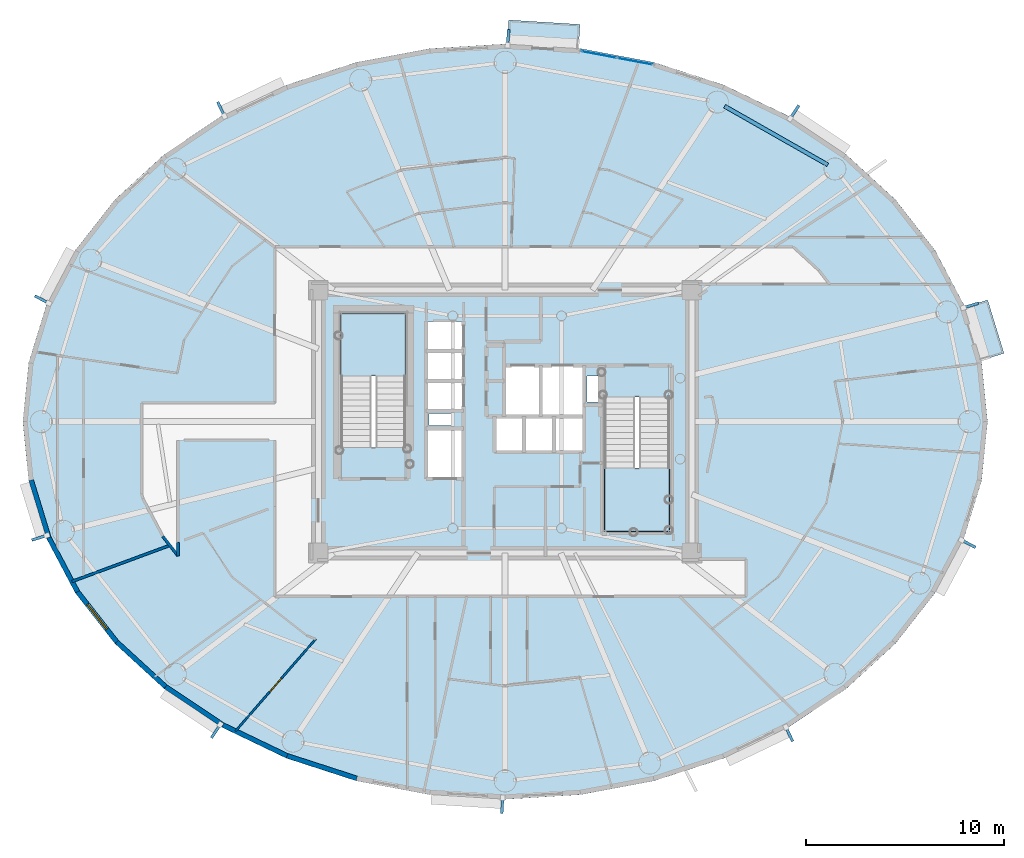
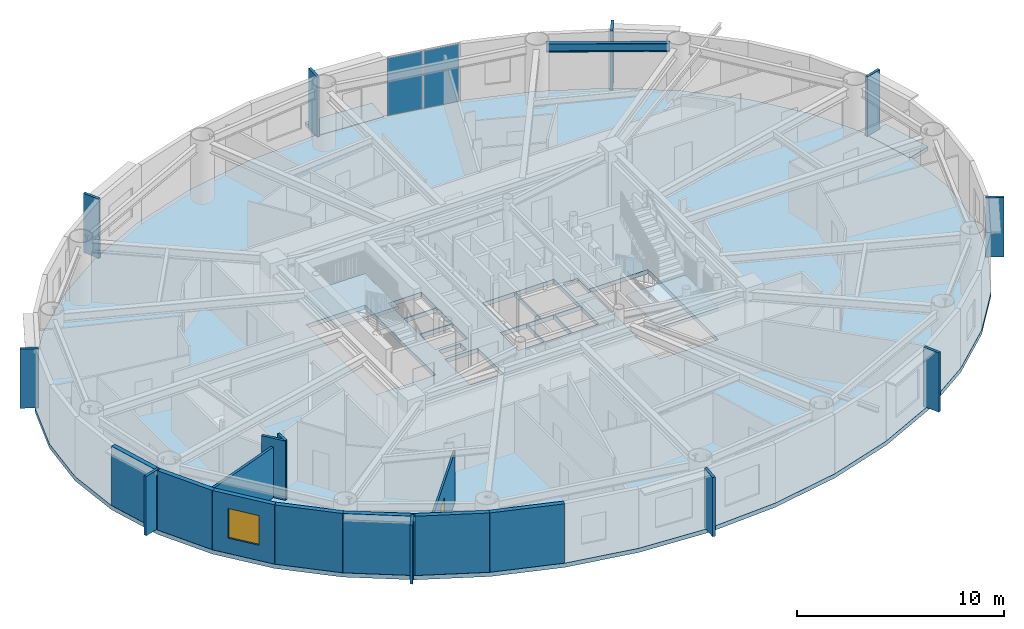
# One storey, part 6 of 20: 12 plates, 11 walls, 5 slabs, 1 beam, 1 door, 1 window, 2 openings, 3 elements without a shape of their own.
"""IFC4 building model written with IfcOpenShell, lengths in metres."""

from ifc_helpers import new_model, si_unit, direction, frame, frame_2d, origin, origin_2d, place, context, subcontext, project, spatial, polyline, rectangle, i_section, outline, extrude, source, transform, mapped, material, layer, layer_set, material_profile, profile_set, type_object, element, fill, aggregate, save


model = new_model("IFC4")

# Units and contexts
model_context = context("Model", 3, precision=1e-05, world=origin(), true_north=direction((0.0, 1.0)))
body_context = subcontext(model_context, "Body", "Model", "MODEL_VIEW")
ifc_project = project(units=[si_unit("LENGTHUNIT", "METRE"), si_unit("AREAUNIT", "SQUARE_METRE"), si_unit("VOLUMEUNIT", "CUBIC_METRE"), si_unit("PLANEANGLEUNIT", "RADIAN"), si_unit("MASSUNIT", "GRAM", prefix="KILO")], contexts=[model_context])

# Site, building, storey
site_placement = place(None, origin())
site = spatial("IfcSite", under=ifc_project, at=site_placement, CompositionType="ELEMENT")
building_placement = place(site_placement, origin())
building = spatial("IfcBuilding", under=site, at=building_placement, Name="Linh Dai School and Residence Tower", CompositionType="ELEMENT")
storey_placement = place(building_placement, frame((0.0, 0.0, 221.550048828125)))
storey = spatial("IfcBuildingStorey", under=building, at=storey_placement, Name="L54", CompositionType="ELEMENT", Elevation=221.550048828125)

# Beam
ifc_material_1 = material(Name="Structural Steel S355JR", Category="steel")
ifc_material_profile = material_profile(ifc_material_1, i_section(OverallWidth=0.199951171875, OverallDepth=0.5, WebThickness=0.01025390625, FlangeThickness=0.01611328125, FilletRadius=0.02099609375, at=origin_2d()), Name="IPE 500")
ifc_profile_set = profile_set([ifc_material_profile], Name="Structural Steel S355JR")
beam_type = type_object("IfcBeamType", Name="BM-RB50", PredefinedType="BEAM", material=ifc_profile_set)
beam_placement = place(storey_placement, frame((52.318115234375, 39.988525390625, 3.25), z_axis=(-0.869297314463, 0.494289570058, 0.0), x_axis=(-0.494289570058, -0.869297314463, 0.0)))
element("IfcBeam", 1, at=beam_placement, inside=storey, type_object=beam_type, Name="L54 Perimeter Elliptical Ring Beam 03", PredefinedType="BEAM", context=body_context, shape_type="SweptSolid", body=[
    extrude(i_section(OverallWidth=0.199951171875, OverallDepth=0.5, WebThickness=0.01025390625, FlangeThickness=0.01611328125, FilletRadius=0.02099609375, at=origin_2d()), origin(), (0.0, 0.0, 1.0), 6.003173828125),
])

# Slabs
ifc_material_2 = material(Name="Concrete B45 (C35/45)", Category="concrete")
ifc_layer_1 = layer(ifc_material_2, 0.219970703125)
ifc_layer_set_1 = layer_set([ifc_layer_1], Name="Concrete B45 (C35/45)")
slab_type_1 = type_object("IfcSlabType", Name="SLB-BALC-220", PredefinedType="FLOOR", material=ifc_layer_set_1)
slab_1_placement = place(storey_placement, frame((0.0, 0.0, -0.219970703125)))
element("IfcSlab", 2, at=slab_1_placement, inside=storey, type_object=slab_type_1, Name="L54 Sliding Balcony Slab 02", PredefinedType="FLOOR", context=body_context, shape_type="SweptSolid", body=[
    extrude(outline(polyline([(59.16259765625, 32.7734375), (59.99072265625, 30.07275390625), (61.233642578125, 30.453857421875), (60.405517578125, 33.154541015625), (59.16259765625, 32.7734375)])), origin(), (0.0, 0.0, 1.0), 0.219970703125),
])
slab_2_placement = place(storey_placement, frame((0.0, 0.0, -0.219970703125)))
element("IfcSlab", 3, at=slab_2_placement, inside=storey, type_object=slab_type_1, Name="L54 Sliding Balcony Slab 10", PredefinedType="FLOOR", context=body_context, shape_type="SweptSolid", body=[
    extrude(outline(polyline([(36.1025390625, 46.018798828125), (39.70458984375, 45.796875), (39.784423828125, 47.09423828125), (36.1826171875, 47.31640625), (36.1025390625, 46.018798828125)])), origin(), (0.0, 0.0, 1.0), 0.219970703125),
])
ifc_layer_2 = layer(ifc_material_2, 0.25)
ifc_layer_set_2 = layer_set([ifc_layer_2], Name="Concrete B45 (C35/45)")
slab_type_2 = type_object("IfcSlabType", Name="SLB-FLR250", PredefinedType="FLOOR", material=ifc_layer_set_2)
slab_3_placement = place(storey_placement, frame((0.0, 0.0, -0.25)))
element("IfcSlab", 4, at=slab_3_placement, inside=storey, type_object=slab_type_2, Name="L54 Composite Structural Floor Slab", PredefinedType="FLOOR", context=body_context, shape_type="SweptSolid", body=[
    extrude(outline(polyline([(60.39990234375, 27.0), (60.099609375, 29.98876953125), (59.205810546875, 32.90380859375), (57.740478515625, 35.673583984375), (55.739990234375, 38.229736328125), (53.25341796875, 40.50927734375), (50.342041015625, 42.456298828125), (47.077392578125, 44.022705078125), (43.5400390625, 45.169921875), (39.81689453125, 45.869873046875), (36.0, 46.10498046875), (32.18310546875, 45.869873046875), (28.4599609375, 45.169921875), (24.922607421875, 44.022705078125), (21.657958984375, 42.456298828125), (18.74658203125, 40.50927734375), (16.260009765625, 38.229736328125), (14.259521484375, 35.673583984375), (12.794189453125, 32.90380859375), (11.900390625, 29.98876953125), (11.60009765625, 27.0), (11.900390625, 24.01123046875), (12.794189453125, 21.09619140625), (14.259521484375, 18.326416015625), (16.260009765625, 15.770263671875), (18.74658203125, 13.49072265625), (21.657958984375, 11.543701171875), (24.922607421875, 9.977294921875), (28.4599609375, 8.830078125), (32.18310546875, 8.130126953125), (36.0, 7.89501953125), (39.81689453125, 8.130126953125), (43.5400390625, 8.830078125), (47.077392578125, 9.977294921875), (50.342041015625, 11.543701171875), (53.25341796875, 13.49072265625), (55.739990234375, 15.770263671875), (57.740478515625, 18.326416015625), (59.205810546875, 21.09619140625), (60.099609375, 24.01123046875), (60.39990234375, 27.0)]), holes=[polyline([(30.97998046875, 25.699951171875), (30.97998046875, 32.5), (27.679931640625, 32.5), (27.679931640625, 25.699951171875), (30.97998046875, 25.699951171875)]), polyline([(41.02001953125, 28.25), (41.02001953125, 21.449951171875), (44.320068359375, 21.449951171875), (44.320068359375, 28.25), (41.02001953125, 28.25)]), polyline([(35.97998046875, 27.280029296875), (37.77001953125, 27.280029296875), (37.77001953125, 29.820068359375), (35.97998046875, 29.820068359375), (35.97998046875, 27.280029296875)]), polyline([(32.030029296875, 24.1298828125), (33.8701171875, 24.1298828125), (33.8701171875, 26.6201171875), (32.030029296875, 26.6201171875), (32.030029296875, 24.1298828125)]), polyline([(37.830078125, 27.280029296875), (39.969970703125, 27.280029296875), (39.969970703125, 29.820068359375), (37.830078125, 29.820068359375), (37.830078125, 27.280029296875)]), polyline([(32.030029296875, 27.580078125), (33.8701171875, 27.580078125), (33.8701171875, 29.030029296875), (32.030029296875, 29.030029296875), (32.030029296875, 27.580078125)]), polyline([(32.030029296875, 29.090087890625), (33.8701171875, 29.090087890625), (33.8701171875, 30.550048828125), (32.030029296875, 30.550048828125), (32.030029296875, 29.090087890625)]), polyline([(32.030029296875, 30.610107421875), (33.8701171875, 30.610107421875), (33.8701171875, 32.070068359375), (32.030029296875, 32.070068359375), (32.030029296875, 30.610107421875)]), polyline([(35.47998046875, 25.47998046875), (36.929931640625, 25.47998046875), (36.929931640625, 27.219970703125), (35.47998046875, 27.219970703125), (35.47998046875, 25.47998046875)]), polyline([(36.989990234375, 25.47998046875), (38.449951171875, 25.47998046875), (38.449951171875, 27.219970703125), (36.989990234375, 27.219970703125), (36.989990234375, 25.47998046875)]), polyline([(38.510009765625, 25.47998046875), (39.969970703125, 25.47998046875), (39.969970703125, 27.219970703125), (38.510009765625, 27.219970703125), (38.510009765625, 25.47998046875)]), polyline([(40.14990234375, 28.0), (40.14990234375, 29.300048828125), (41.0, 29.300048828125), (41.0, 28.280029296875), (40.989990234375, 28.280029296875), (40.989990234375, 28.0), (40.14990234375, 28.0)]), polyline([(32.14990234375, 26.800048828125), (33.35009765625, 26.800048828125), (33.35009765625, 27.39990234375), (32.14990234375, 27.39990234375), (32.14990234375, 26.800048828125)])]), origin(), (0.0, 0.0, 1.0), 0.25),
])

# Stair, slab
stair_type = type_object("IfcStairType", Name="ST-DOG-1550-R1442", PredefinedType="HALF_TURN_STAIR", material=ifc_material_2)
stair_1_placement = place(storey_placement, origin())
stair_1 = element("IfcStair", 5, at=stair_1_placement, inside=storey, type_object=stair_type, Name="L54 Core Smokeproof Exit Stair ST1", PredefinedType="HALF_TURN_STAIR")
ifc_layer_3 = layer(ifc_material_2, 0.199951171875)
ifc_layer_set_3 = layer_set([ifc_layer_3], Name="Concrete B45 (C35/45)")
slab_type_3 = type_object("IfcSlabType", Name="SLB-ST-LANDING-200", PredefinedType="LANDING", material=ifc_layer_set_3)
slab_4_placement = place(storey_placement, frame((0.0, 0.0, 1.675048828125)))
slab_4 = element("IfcSlab", 6, at=slab_4_placement, type_object=slab_type_3, Name="ST1 landing 1", PredefinedType="LANDING", context=body_context, shape_type="SweptSolid", body=[
    extrude(outline(polyline([(30.97998046875, 29.300048828125), (30.97998046875, 32.5), (27.679931640625, 32.5), (27.679931640625, 29.300048828125), (30.97998046875, 29.300048828125)])), origin(), (0.0, 0.0, 1.0), 0.199951171875),
])
aggregate(stair_1, [slab_4])

stair_2_placement = place(storey_placement, origin())
stair_2 = element("IfcStair", 7, at=stair_2_placement, inside=storey, type_object=stair_type, Name="L54 Core Smokeproof Exit Stair ST2", PredefinedType="HALF_TURN_STAIR")
slab_5_placement = place(storey_placement, frame((0.0, 0.0, 1.675048828125)))
slab_5 = element("IfcSlab", 8, at=slab_5_placement, type_object=slab_type_3, Name="ST2 landing 1", PredefinedType="LANDING", context=body_context, shape_type="SweptSolid", body=[
    extrude(outline(polyline([(41.02001953125, 24.64990234375), (41.02001953125, 21.449951171875), (44.320068359375, 21.449951171875), (44.320068359375, 24.64990234375), (41.02001953125, 24.64990234375)])), origin(), (0.0, 0.0, 1.0), 0.199951171875),
])
aggregate(stair_2, [slab_5])

# Plates
ifc_material_3 = material(Name="Precast Concrete B45 (C35/45)", Category="concrete")
ifc_layer_4 = layer(ifc_material_3, 0.139892578125)
ifc_layer_set_4 = layer_set([ifc_layer_4], Name="Precast Concrete B45 (C35/45)")
plate_type_1 = type_object("IfcPlateType", Name="FIN-TC-900x140", PredefinedType="USERDEFINED", material=ifc_layer_set_4)
shared_shape_1 = source(origin(), body_context, "Body", "SweptSolid", [
    extrude(rectangle(XDim=0.89990234375, YDim=0.139892578125, at=origin_2d()), origin(), (0.0, 0.0, 1.0), 3.5),
])
for number, where, z_axis, x_axis, name in (
    (9, (59.517578125, 32.861328125, 0.0), (0.0, 0.0, 1.0), (0.956064190994, 0.2931574026, 0.0), "L54 Precast Terracotta Radial Fin 02"),
    (10, (50.60791015625, 42.621826171875, 0.0), (0.0, 0.0, 1.0), (0.555887222025, 0.831257719597, 0.0), "L54 Precast Terracotta Radial Fin 06"),
    (11, (36.14501953125, 46.3818359375, 0.0), (0.0, 0.0, 1.0), (0.061504437922, 0.998106809974, 0.0), "L54 Precast Terracotta Radial Fin 10"),
    (12, (21.650634765625, 42.769287109375, 0.0), (0.0, 0.0, 1.0), (-0.432593941973, 0.901588864931, 0.0), "L54 Precast Terracotta Radial Fin 14"),
    (13, (12.603271484375, 33.153564453125, 0.0), (0.0, 0.0, 1.0), (-0.883928950783, 0.467621224891, 0.0), "L54 Precast Terracotta Radial Fin 18"),
    (14, (12.482421875, 21.138671875, 0.0), (0.0, 0.0, 1.0), (-0.956064190994, -0.2931574026, 0.0), "L54 Precast Terracotta Radial Fin 22"),
    (15, (21.39208984375, 11.378173828125, 0.0), (0.0, 0.0, 1.0), (-0.555887222025, -0.831257719597, 0.0), "L54 Precast Terracotta Radial Fin 26"),
    (16, (35.85498046875, 7.6181640625, 0.0), (0.0, 0.0, 1.0), (-0.061504437922, -0.998106809974, 0.0), "L54 Precast Terracotta Radial Fin 30"),
    (17, (50.349365234375, 11.230712890625, 0.0), (0.0, 0.0, 1.0), (0.432593941973, -0.901588864931, 0.0), "L54 Precast Terracotta Radial Fin 34"),
    (18, (59.396728515625, 20.846435546875, 0.0), (0.0, 0.0, 1.0), (0.883928950783, -0.467621224891, 0.0), "L54 Precast Terracotta Radial Fin 38"),
):
    element("IfcPlate", number, at=place(storey_placement, frame(where, z_axis=z_axis, x_axis=x_axis)), inside=storey, type_object=plate_type_1, Name=name, ObjectType="RADIAL FIN", PredefinedType="USERDEFINED", context=body_context, shape_type="MappedRepresentation", body=[
        mapped(shared_shape_1, transform((0.0, 0.0, 0.0), x_axis=(1.0, 0.0, 0.0), y_axis=(0.0, 1.0, 0.0), z_axis=(0.0, 0.0, 1.0), scale=1.0)),
    ])

# Curtain wall, plates
ifc_material_4 = material(Name="Aluminium Anodised Curtain Wall", Category="aluminium")
ifc_layer_5 = layer(ifc_material_4, 0.14990234375)
ifc_layer_set_5 = layer_set([ifc_layer_5], Name="Aluminium Anodised Curtain Wall")
curtain_wall_type = type_object("IfcCurtainWallType", Name="CW-SYS-4", PredefinedType="USERDEFINED", material=ifc_layer_set_5)
curtain_wall_placement = place(storey_placement, origin())
curtain_wall = element("IfcCurtainWall", 19, at=curtain_wall_placement, inside=storey, type_object=curtain_wall_type, Name="L54 CW4 Curtain Wall 09", ObjectType="RIBBON CURTAIN WALL", PredefinedType="USERDEFINED")
ifc_material_5 = material(Name="Double Low-E Insulated Glazing", Category="glass")
ifc_layer_6 = layer(ifc_material_5, 0.02587890625)
ifc_layer_set_6 = layer_set([ifc_layer_6], Name="Double Low-E Insulated Glazing")
plate_type_2 = type_object("IfcPlateType", Name="CW-SYS-4-PAN", PredefinedType="CURTAIN_PANEL", material=ifc_layer_set_6)
shared_shape_2 = source(origin(), body_context, "Body", "SweptSolid", [
    extrude(rectangle(XDim=1.808349609375, YDim=0.02587890625, at=origin_2d()), origin(), (0.0, 0.0, 1.0), 3.39599609375),
])
plate_1_placement = place(storey_placement, frame((40.7412109375, 45.569091796875, 0.052001953125), z_axis=(0.0, 0.0, 1.0), x_axis=(0.982786586765, -0.18474448537, 0.0)))
plate_1 = element("IfcPlate", 20, at=plate_1_placement, type_object=plate_type_2, Name="CW4 panel 1.1", PredefinedType="CURTAIN_PANEL", context=body_context, shape_type="MappedRepresentation", body=[
    mapped(shared_shape_2, transform((0.0, 0.0, 0.0), x_axis=(1.0, 0.0, 0.0), y_axis=(0.0, 1.0, 0.0), z_axis=(0.0, 0.0, 1.0), scale=1.0)),
])
plate_2_placement = place(storey_placement, frame((42.569580078125, 45.225341796875, 0.052001953125), z_axis=(0.0, 0.0, 1.0), x_axis=(0.982786586765, -0.18474448537, 0.0)))
plate_2 = element("IfcPlate", 21, at=plate_2_placement, type_object=plate_type_2, Name="CW4 panel 2.1", PredefinedType="CURTAIN_PANEL", context=body_context, shape_type="MappedRepresentation", body=[
    mapped(shared_shape_2, transform((0.0, 0.0, 0.0), x_axis=(1.0, 0.0, 0.0), y_axis=(0.0, 1.0, 0.0), z_axis=(0.0, 0.0, 1.0), scale=1.0)),
])
aggregate(curtain_wall, [plate_1, plate_2])

# Walls
ifc_layer_7 = layer(ifc_material_3, 0.239990234375)
ifc_layer_set_7 = layer_set([ifc_layer_7], Name="Precast Concrete B45 (C35/45)")
wall_type_1 = type_object("IfcWallType", Name="EW-TC-240", PredefinedType="SOLIDWALL", material=ifc_layer_set_7)
wall_1_placement = place(storey_placement, frame((12.90966796875, 21.14404296875, 0.0), z_axis=(0.0, 0.0, 1.0), x_axis=(-0.293132907334, 0.95607170162, 0.0)))
element("IfcWall", 22, at=wall_1_placement, inside=storey, type_object=wall_type_1, Name="L54 Terracotta Exterior Wall 22", PredefinedType="SOLIDWALL", context=body_context, shape_type="SweptSolid", body=[
    extrude(rectangle(XDim=3.02490234375, YDim=0.239990234375, at=frame_2d((1.512451171875, 0.0))), origin(), (0.0, 0.0, 1.0), 3.5),
])
wall_2_placement = place(storey_placement, frame((14.3642578125, 18.394775390625, 0.0), z_axis=(0.0, 0.0, 1.0), x_axis=(-0.46766049993, 0.883908172157, 0.0)))
element("IfcWall", 23, at=wall_2_placement, inside=storey, type_object=wall_type_1, Name="L54 Terracotta Exterior Wall 23", PredefinedType="SOLIDWALL", context=body_context, shape_type="SweptSolid", body=[
    extrude(rectangle(XDim=3.1103515625, YDim=0.239990234375, at=frame_2d((1.55517578125, 0.0))), origin(), (0.0, 0.0, 1.0), 3.5),
])

# Wall, opening, window
wall_3_placement = place(storey_placement, frame((16.3515625, 15.85546875, 0.0), z_axis=(0.0, 0.0, 1.0), x_axis=(-0.616312344705, 0.787501805562, 0.0)))
wall_3 = element("IfcWall", 24, at=wall_3_placement, inside=storey, type_object=wall_type_1, Name="L54 Terracotta Exterior Wall 24", PredefinedType="SOLIDWALL", context=body_context, shape_type="SweptSolid", body=[
    extrude(rectangle(XDim=3.224609375, YDim=0.239990234375, at=frame_2d((1.6123046875, 0.0))), origin(), (0.0, 0.0, 1.0), 3.5),
])
opening_1_placement = place(wall_3_placement, frame((0.81201171875, 0.0, 0.89990234375)))
opening_1 = element("IfcOpeningElement", 25, at=opening_1_placement, cuts=wall_3, Name="Opening W2", PredefinedType="OPENING", context=body_context, shape_type="SweptSolid", body=[
    extrude(rectangle(XDim=1.60009765625, YDim=1.75, at=origin_2d()), frame((0.800048828125, 0.1298828125, 0.875), z_axis=(0.0, -1.0, 0.0), x_axis=(1.0, 0.0, 0.0)), (0.0, 0.0, 1.0), 0.260009765625),
])
window_type = type_object("IfcWindowType", Name="WN-RES-1600x1750", PartitioningType="DOUBLE_PANEL_VERTICAL", PredefinedType="WINDOW", material=ifc_material_5)
shared_shape_3 = source(origin(), body_context, "Body", "SweptSolid", [
    extrude(rectangle(XDim=1.60009765625, YDim=1.75, at=origin_2d()), frame((0.800048828125, 0.030029296875, 0.875), z_axis=(0.0, -1.0, 0.0), x_axis=(1.0, 0.0, 0.0)), (0.0, 0.0, 1.0), 0.06005859375),
])
window_placement = place(opening_1_placement, origin())
window = element("IfcWindow", 26, at=window_placement, inside=storey, type_object=window_type, Name="L54 Exterior Window 24.1", OverallHeight=1.75, OverallWidth=1.60009765625, PartitioningType="DOUBLE_PANEL_VERTICAL", PredefinedType="WINDOW", context=body_context, shape_type="MappedRepresentation", body=[
    mapped(shared_shape_3, transform((0.0, 0.0, 0.0), x_axis=(1.0, 0.0, 0.0), y_axis=(0.0, 1.0, 0.0), z_axis=(0.0, 0.0, 1.0), scale=1.0)),
])
fill(opening_1, window)

# Walls
wall_4_placement = place(storey_placement, frame((18.82373046875, 13.589111328125, 0.0), z_axis=(0.0, 0.0, 1.0), x_axis=(-0.737123922599, 0.675757591694, 0.0)))
element("IfcWall", 27, at=wall_4_placement, inside=storey, type_object=wall_type_1, Name="L54 Terracotta Exterior Wall 25", PredefinedType="SOLIDWALL", context=body_context, shape_type="SweptSolid", body=[
    extrude(rectangle(XDim=3.353759765625, YDim=0.239990234375, at=frame_2d((1.6767578125, 0.0))), origin(), (0.0, 0.0, 1.0), 3.5),
])
wall_5_placement = place(storey_placement, frame((21.719970703125, 11.65234375, 0.0), z_axis=(0.0, 0.0, 1.0), x_axis=(-0.831262496074, 0.555880079352, 0.0)))
element("IfcWall", 28, at=wall_5_placement, inside=storey, type_object=wall_type_1, Name="L54 Terracotta Exterior Wall 26", PredefinedType="SOLIDWALL", context=body_context, shape_type="SweptSolid", body=[
    extrude(rectangle(XDim=3.484130859375, YDim=0.239990234375, at=frame_2d((1.7421875, 0.0))), origin(), (0.0, 0.0, 1.0), 3.5),
])
wall_6_placement = place(storey_placement, frame((24.968994140625, 10.093505859375, 0.0), z_axis=(0.0, 0.0, 1.0), x_axis=(-0.901598104751, 0.432574684313, 0.0)))
element("IfcWall", 29, at=wall_6_placement, inside=storey, type_object=wall_type_1, Name="L54 Terracotta Exterior Wall 27", PredefinedType="SOLIDWALL", context=body_context, shape_type="SweptSolid", body=[
    extrude(rectangle(XDim=3.603515625, YDim=0.239990234375, at=frame_2d((1.8017578125, 0.0))), origin(), (0.0, 0.0, 1.0), 3.5),
])
wall_7_placement = place(storey_placement, frame((28.49072265625, 8.951171875, 0.0), z_axis=(0.0, 0.0, 1.0), x_axis=(-0.951210789182, 0.308541787354, 0.0)))
element("IfcWall", 30, at=wall_7_placement, inside=storey, type_object=wall_type_1, Name="L54 Terracotta Exterior Wall 28", PredefinedType="SOLIDWALL", context=body_context, shape_type="SweptSolid", body=[
    extrude(rectangle(XDim=3.702392578125, YDim=0.239990234375, at=frame_2d((1.85107421875, 0.0))), origin(), (0.0, 0.0, 1.0), 3.5),
])
ifc_material_6 = material(Name="Autoclaved Aerated Concrete Blockwork", Category="masonry")
ifc_layer_8 = layer(ifc_material_6, 0.135009765625)
ifc_layer_set_8 = layer_set([ifc_layer_8], Name="Autoclaved Aerated Concrete Blockwork")
wall_type_2 = type_object("IfcWallType", Name="IW-CORR-135-EI90", PredefinedType="PARTITIONING", material=ifc_layer_set_8)
wall_8_placement = place(storey_placement, frame((14.084716796875, 18.912109375, 0.0), z_axis=(0.0, 0.0, 1.0), x_axis=(0.938158194698, 0.346206877055, 0.0)))
element("IfcWall", 31, at=wall_8_placement, inside=storey, type_object=wall_type_2, Name="L54 Interior Partition Wall 004", PredefinedType="PARTITIONING", context=body_context, shape_type="SweptSolid", body=[
    extrude(rectangle(XDim=5.2783203125, YDim=0.135009765625, at=frame_2d((2.63916015625, 0.0))), origin(), (0.0, 0.0, 1.0), 2.98486328125),
])
wall_9_placement = place(storey_placement, frame((18.6806640625, 21.1943359375, 0.0), z_axis=(0.0, 0.0, 1.0), x_axis=(0.616239706802, -0.787558647823, 0.0)))
element("IfcWall", 32, at=wall_9_placement, inside=storey, type_object=wall_type_2, Name="L54 Interior Partition Wall 012", PredefinedType="PARTITIONING", context=body_context, shape_type="SweptSolid", body=[
    extrude(rectangle(XDim=1.248291015625, YDim=0.135009765625, at=frame_2d((0.6240234375, 0.0))), origin(), (0.0, 0.0, 1.0), 3.5),
])
wall_10_placement = place(storey_placement, frame((19.449951171875, 20.211181640625, 0.0), z_axis=(0.0, 0.0, 1.0), x_axis=(0.0, 1.0, 0.0)))
element("IfcWall", 33, at=wall_10_placement, inside=storey, type_object=wall_type_2, Name="L54 Interior Partition Wall 014", PredefinedType="PARTITIONING", context=body_context, shape_type="SweptSolid", body=[
    extrude(rectangle(XDim=0.680908203125, YDim=0.135009765625, at=frame_2d((0.34033203125, 0.0))), origin(), (0.0, 0.0, 1.0), 3.5),
])

# Wall, opening, door
ifc_material_7 = material(Name="Gypsum Plasterboard Acoustic Stud Partition", Category="masonry")
ifc_layer_9 = layer(ifc_material_7, 0.10009765625)
ifc_layer_set_9 = layer_set([ifc_layer_9], Name="Gypsum Plasterboard Acoustic Stud Partition")
wall_type_3 = type_object("IfcWallType", Name="IW-UNIT-100", PredefinedType="PARTITIONING", material=ifc_layer_set_9)
wall_11_placement = place(storey_placement, frame((22.354736328125, 11.34228515625, 0.0), z_axis=(0.0, 0.0, 1.0), x_axis=(0.657017747133, 0.753875108989, 0.0)))
wall_11 = element("IfcWall", 34, at=wall_11_placement, inside=storey, type_object=wall_type_3, Name="L54 Interior Partition Wall 019", PredefinedType="PARTITIONING", context=body_context, shape_type="SweptSolid", body=[
    extrude(rectangle(XDim=6.177978515625, YDim=0.10009765625, at=frame_2d((3.0888671875, 0.0))), origin(), (0.0, 0.0, 1.0), 2.98486328125),
])
opening_2_placement = place(wall_11_placement, frame((2.638916015625, 0.0, 0.0)))
opening_2 = element("IfcOpeningElement", 35, at=opening_2_placement, cuts=wall_11, Name="Opening D05", PredefinedType="OPENING", context=body_context, shape_type="SweptSolid", body=[
    extrude(rectangle(XDim=0.89990234375, YDim=2.10009765625, at=origin_2d()), frame((0.449951171875, 0.06005859375, 1.050048828125), z_axis=(0.0, -1.0, 0.0), x_axis=(1.0, 0.0, 0.0)), (0.0, 0.0, 1.0), 0.1201171875),
])
ifc_material_8 = material(Name="Engineered Timber Internal Door", Category="wood")
door_type = type_object("IfcDoorType", Name="DR-INT-900x2100", OperationType="NOTDEFINED", PredefinedType="DOOR", material=ifc_material_8)
shared_shape_4 = source(origin(), body_context, "Body", "SweptSolid", [
    extrude(rectangle(XDim=0.89990234375, YDim=2.10009765625, at=origin_2d()), frame((0.449951171875, 0.02490234375, 1.050048828125), z_axis=(0.0, -1.0, 0.0), x_axis=(1.0, 0.0, 0.0)), (0.0, 0.0, 1.0), 0.050048828125),
])
door_placement = place(opening_2_placement, origin())
door = element("IfcDoor", 36, at=door_placement, inside=storey, type_object=door_type, Name="L54 Apartment U5405 Study Door", OperationType="SINGLE_SWING_LEFT", OverallHeight=2.10009765625, OverallWidth=0.89990234375, PredefinedType="DOOR", context=body_context, shape_type="MappedRepresentation", body=[
    mapped(shared_shape_4, transform((0.0, 0.0, 0.0), x_axis=(1.0, 0.0, 0.0), y_axis=(0.0, 1.0, 0.0), z_axis=(0.0, 0.0, 1.0), scale=1.0)),
])
fill(opening_2, door)

save(model, "model.ifc")
